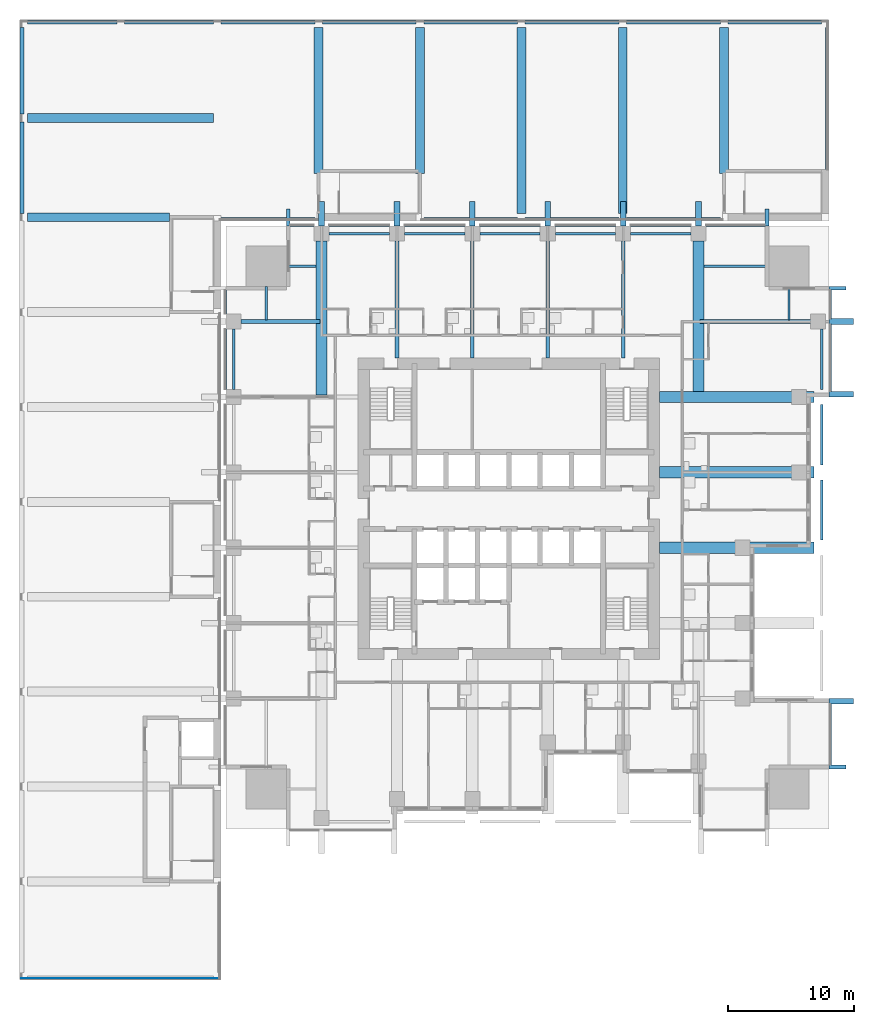
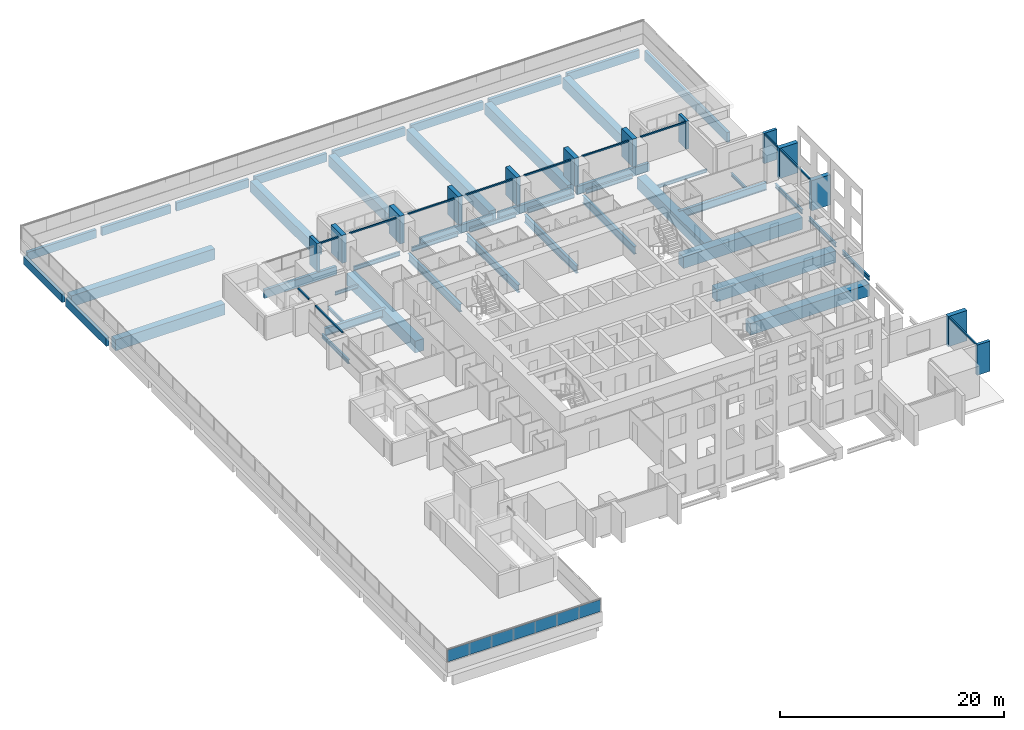
# One storey, part 2 of 15: 46 beams, 25 members, 1 plate, 4 elements without a shape of their own.
"""IFC4 building model written with IfcOpenShell, lengths in metres."""

from ifc_helpers import new_model, si_unit, direction, frame, origin, origin_2d, place, context, subcontext, project, spatial, rectangle, i_section, extrude, material, layer, layer_set, material_profile, profile_set, type_object, element, aggregate, save


model = new_model("IFC4")

# Units and contexts
model_context = context("Model", 3, precision=1e-05, world=origin(), true_north=direction((0.0, 1.0)))
body_context = subcontext(model_context, "Body", "Model", "MODEL_VIEW")
ifc_project = project(units=[si_unit("LENGTHUNIT", "METRE"), si_unit("AREAUNIT", "SQUARE_METRE"), si_unit("VOLUMEUNIT", "CUBIC_METRE"), si_unit("PLANEANGLEUNIT", "RADIAN"), si_unit("MASSUNIT", "GRAM", prefix="KILO")], contexts=[model_context])

# Site, building, storey
site_placement = place(None, origin())
site = spatial("IfcSite", under=ifc_project, at=site_placement, CompositionType="ELEMENT")
building_placement = place(site_placement, origin())
building = spatial("IfcBuilding", under=site, at=building_placement, Name="Amberfall Residences", CompositionType="ELEMENT")
storey_placement = place(building_placement, frame((0.0, 0.0, 23.5)))
storey = spatial("IfcBuildingStorey", under=building, at=storey_placement, Name="L05", CompositionType="ELEMENT", Elevation=23.5)

# Curtain wall, member
ifc_material_1 = material(Name="Bronze anodised aluminium and glass", Category="aluminium")
curtain_wall_type = type_object("IfcCurtainWallType", Name="Curtain wall CW1 tower unit", PredefinedType="USERDEFINED", material=ifc_material_1)
curtain_wall_1_placement = place(storey_placement, origin())
curtain_wall_1 = element("IfcCurtainWall", 1, at=curtain_wall_1_placement, inside=storey, type_object=curtain_wall_type, Name="Curtain wall L05 E E1", ObjectType="UNITISED CURTAIN WALL", PredefinedType="USERDEFINED")
ifc_material_2 = material(Name="Bronze anodised aluminium", Category="aluminium")
ifc_material_profile_1 = material_profile(ifc_material_2, rectangle(XDim=0.14990234375, YDim=0.14990234375, at=origin_2d()), Name="CW1 transom 150 x 150 bronze")
ifc_profile_set_1 = profile_set([ifc_material_profile_1], Name="Bronze anodised aluminium")
member_type_1 = type_object("IfcMemberType", Name="CW1 transom 150 x 150 bronze", PredefinedType="USERDEFINED", material=ifc_profile_set_1)
member_1_placement = place(storey_placement, frame((100.074951171875, 25.10009765625, 2.97509765625), z_axis=(0.0, 1.0, 0.0), x_axis=(-1.0, 0.0, 0.0)))
member_1 = element("IfcMember", 2, at=member_1_placement, type_object=member_type_1, Name="CW1 transom 1.1", ObjectType="TRANSOM", PredefinedType="USERDEFINED", context=body_context, shape_type="SweptSolid", body=[
    extrude(rectangle(XDim=0.14990234375, YDim=0.14990234375, at=origin_2d()), origin(), (0.0, 0.0, 1.0), 4.849853515625),
])

# Curtain wall, members
curtain_wall_2_placement = place(storey_placement, origin())
curtain_wall_2 = element("IfcCurtainWall", 3, at=curtain_wall_2_placement, inside=storey, type_object=curtain_wall_type, Name="Curtain wall L05 E E9", ObjectType="UNITISED CURTAIN WALL", PredefinedType="USERDEFINED")
member_2_placement = place(storey_placement, frame((100.074951171875, 54.85009765625, 2.97509765625), z_axis=(0.0, 1.0, 0.0), x_axis=(-1.0, 0.0, 0.0)))
member_2 = element("IfcMember", 4, at=member_2_placement, type_object=member_type_1, Name="CW1 transom 1.1", ObjectType="TRANSOM", PredefinedType="USERDEFINED", context=body_context, shape_type="SweptSolid", body=[
    extrude(rectangle(XDim=0.14990234375, YDim=0.14990234375, at=origin_2d()), origin(), (0.0, 0.0, 1.0), 5.324951171875),
])
member_3_placement = place(storey_placement, frame((100.074951171875, 60.625, 2.97509765625), z_axis=(0.0, 1.0, 0.0), x_axis=(-1.0, 0.0, 0.0)))
member_3 = element("IfcMember", 5, at=member_3_placement, type_object=member_type_1, Name="CW1 transom 2.1", ObjectType="TRANSOM", PredefinedType="USERDEFINED", context=body_context, shape_type="SweptSolid", body=[
    extrude(rectangle(XDim=0.14990234375, YDim=0.14990234375, at=origin_2d()), origin(), (0.0, 0.0, 1.0), 2.27490234375),
])

curtain_wall_3_placement = place(storey_placement, origin())
curtain_wall_3 = element("IfcCurtainWall", 6, at=curtain_wall_3_placement, inside=storey, type_object=curtain_wall_type, Name="Curtain wall L05 N N1", ObjectType="UNITISED CURTAIN WALL", PredefinedType="USERDEFINED")
member_4_placement = place(storey_placement, frame((94.89990234375, 68.074951171875, 2.97509765625), z_axis=(-1.0, 0.0, 0.0), x_axis=(0.0, -1.0, 0.0)))
member_4 = element("IfcMember", 7, at=member_4_placement, type_object=member_type_1, Name="CW1 transom 1.1", ObjectType="TRANSOM", PredefinedType="USERDEFINED", context=body_context, shape_type="SweptSolid", body=[
    extrude(rectangle(XDim=0.14990234375, YDim=0.14990234375, at=origin_2d()), origin(), (0.0, 0.0, 1.0), 4.69482421875),
])
member_5_placement = place(storey_placement, frame((88.9951171875, 68.074951171875, 2.97509765625), z_axis=(-1.0, 0.0, 0.0), x_axis=(0.0, -1.0, 0.0)))
member_5 = element("IfcMember", 8, at=member_5_placement, type_object=member_type_1, Name="CW1 transom 2.1", ObjectType="TRANSOM", PredefinedType="USERDEFINED", context=body_context, shape_type="SweptSolid", body=[
    extrude(rectangle(XDim=0.14990234375, YDim=0.14990234375, at=origin_2d()), origin(), (0.0, 0.0, 1.0), 4.7900390625),
])
member_6_placement = place(storey_placement, frame((82.9951171875, 68.074951171875, 2.97509765625), z_axis=(-1.0, 0.0, 0.0), x_axis=(0.0, -1.0, 0.0)))
member_6 = element("IfcMember", 9, at=member_6_placement, type_object=member_type_1, Name="CW1 transom 3.1", ObjectType="TRANSOM", PredefinedType="USERDEFINED", context=body_context, shape_type="SweptSolid", body=[
    extrude(rectangle(XDim=0.14990234375, YDim=0.14990234375, at=origin_2d()), origin(), (0.0, 0.0, 1.0), 4.7900390625),
])
member_7_placement = place(storey_placement, frame((76.9951171875, 68.074951171875, 2.97509765625), z_axis=(-1.0, 0.0, 0.0), x_axis=(0.0, -1.0, 0.0)))
member_7 = element("IfcMember", 10, at=member_7_placement, type_object=member_type_1, Name="CW1 transom 4.1", ObjectType="TRANSOM", PredefinedType="USERDEFINED", context=body_context, shape_type="SweptSolid", body=[
    extrude(rectangle(XDim=0.14990234375, YDim=0.14990234375, at=origin_2d()), origin(), (0.0, 0.0, 1.0), 4.7900390625),
])
member_8_placement = place(storey_placement, frame((70.9951171875, 68.074951171875, 2.97509765625), z_axis=(-1.0, 0.0, 0.0), x_axis=(0.0, -1.0, 0.0)))
member_8 = element("IfcMember", 11, at=member_8_placement, type_object=member_type_1, Name="CW1 transom 5.1", ObjectType="TRANSOM", PredefinedType="USERDEFINED", context=body_context, shape_type="SweptSolid", body=[
    extrude(rectangle(XDim=0.14990234375, YDim=0.14990234375, at=origin_2d()), origin(), (0.0, 0.0, 1.0), 4.7900390625),
])
member_9_placement = place(storey_placement, frame((64.9951171875, 68.074951171875, 2.97509765625), z_axis=(-1.0, 0.0, 0.0), x_axis=(0.0, -1.0, 0.0)))
member_9 = element("IfcMember", 12, at=member_9_placement, type_object=member_type_1, Name="CW1 transom 6.1", ObjectType="TRANSOM", PredefinedType="USERDEFINED", context=body_context, shape_type="SweptSolid", body=[
    extrude(rectangle(XDim=0.14990234375, YDim=0.14990234375, at=origin_2d()), origin(), (0.0, 0.0, 1.0), 4.7900390625),
])
member_10_placement = place(storey_placement, frame((58.9951171875, 68.074951171875, 2.97509765625), z_axis=(-1.0, 0.0, 0.0), x_axis=(0.0, -1.0, 0.0)))
member_10 = element("IfcMember", 13, at=member_10_placement, type_object=member_type_1, Name="CW1 transom 7.1", ObjectType="TRANSOM", PredefinedType="USERDEFINED", context=body_context, shape_type="SweptSolid", body=[
    extrude(rectangle(XDim=0.14990234375, YDim=0.14990234375, at=origin_2d()), origin(), (0.0, 0.0, 1.0), 1.89501953125),
])

curtain_wall_4_placement = place(storey_placement, origin())
curtain_wall_4 = element("IfcCurtainWall", 14, at=curtain_wall_4_placement, inside=storey, type_object=curtain_wall_type, Name="Curtain wall L05 W W1", ObjectType="UNITISED CURTAIN WALL", PredefinedType="USERDEFINED")
member_11_placement = place(storey_placement, frame((51.925048828125, 62.89990234375, 2.97509765625), z_axis=(0.0, -1.0, 0.0), x_axis=(1.0, 0.0, 0.0)))
member_11 = element("IfcMember", 15, at=member_11_placement, type_object=member_type_1, Name="CW1 transom 1.1", ObjectType="TRANSOM", PredefinedType="USERDEFINED", context=body_context, shape_type="SweptSolid", body=[
    extrude(rectangle(XDim=0.14990234375, YDim=0.14990234375, at=origin_2d()), origin(), (0.0, 0.0, 1.0), 1.89501953125),
])
member_12_placement = place(storey_placement, frame((51.925048828125, 59.794921875, 2.97509765625), z_axis=(0.0, -1.0, 0.0), x_axis=(1.0, 0.0, 0.0)))
member_12 = element("IfcMember", 16, at=member_12_placement, type_object=member_type_1, Name="CW1 transom 2.1", ObjectType="TRANSOM", PredefinedType="USERDEFINED", context=body_context, shape_type="SweptSolid", body=[
    extrude(rectangle(XDim=0.14990234375, YDim=0.14990234375, at=origin_2d()), origin(), (0.0, 0.0, 1.0), 4.7900390625),
])
aggregate(curtain_wall_4, [member_11, member_12])

# Member
ifc_material_profile_2 = material_profile(ifc_material_2, rectangle(XDim=1.35009765625, YDim=0.300048828125, at=origin_2d()), Name="Corner fin 300 x 1350 bronze")
ifc_profile_set_2 = profile_set([ifc_material_profile_2], Name="Bronze anodised aluminium")
member_type_2 = type_object("IfcMemberType", Name="Corner fin 300 x 1350 bronze", PredefinedType="MULLION", material=ifc_profile_set_2)
member_13_placement = place(storey_placement, frame((100.675048828125, 24.949951171875, -0.25), z_axis=(0.0, 0.0, 1.0), x_axis=(-1.0, 0.0, 0.0)))
member_13 = element("IfcMember", 17, at=member_13_placement, type_object=member_type_2, Name="CW FIN 1", PredefinedType="MULLION", context=body_context, shape_type="SweptSolid", body=[
    extrude(rectangle(XDim=1.35009765625, YDim=0.300048828125, at=origin_2d()), origin(), (0.0, 0.0, 1.0), 3.300048828125),
])

member_14_placement = place(storey_placement, frame((100.675048828125, 63.050048828125, -0.25), z_axis=(0.0, 0.0, 1.0), x_axis=(-1.0, 0.0, 0.0)))
member_14 = element("IfcMember", 18, at=member_14_placement, type_object=member_type_2, Name="CW FIN 3", PredefinedType="MULLION", context=body_context, shape_type="SweptSolid", body=[
    extrude(rectangle(XDim=1.35009765625, YDim=0.300048828125, at=origin_2d()), origin(), (0.0, 0.0, 1.0), 3.300048828125),
])

member_15_placement = place(storey_placement, frame((95.050048828125, 68.675048828125, 0.0), z_axis=(0.0, 0.0, 1.0), x_axis=(0.0, -1.0, 0.0)))
member_15 = element("IfcMember", 19, at=member_15_placement, type_object=member_type_2, Name="CW FIN 1", PredefinedType="MULLION", context=body_context, shape_type="SweptSolid", body=[
    extrude(rectangle(XDim=1.35009765625, YDim=0.300048828125, at=origin_2d()), origin(), (0.0, 0.0, 1.0), 3.050048828125),
])

member_16_placement = place(storey_placement, frame((56.949951171875, 68.675048828125, 0.0), z_axis=(0.0, 0.0, 1.0), x_axis=(0.0, -1.0, 0.0)))
member_16 = element("IfcMember", 20, at=member_16_placement, type_object=member_type_2, Name="CW FIN 8", PredefinedType="MULLION", context=body_context, shape_type="SweptSolid", body=[
    extrude(rectangle(XDim=1.35009765625, YDim=0.300048828125, at=origin_2d()), origin(), (0.0, 0.0, 1.0), 3.050048828125),
])

# Beams
ifc_material_3 = material(Name="Steel S355", Category="steel")
ifc_material_profile_3 = material_profile(ifc_material_3, i_section(OverallWidth=0.18994140625, OverallDepth=0.453369140625, WebThickness=0.008544921875, FlangeThickness=0.0126953125, FilletRadius=0.01025390625, at=origin_2d()), Name="UB 457x191x67")
ifc_profile_set_3 = profile_set([ifc_material_profile_3], Name="Steel S355")
beam_type_1 = type_object("IfcBeamType", Name="Edge beam UB 457x191x67", PredefinedType="SPANDREL", material=ifc_profile_set_3)
for number, where, z_axis, x_axis, name in (
    (21, (99.39990234375, 43.0, -0.476806640625), (0.0, 1.0, 0.0), (-1.0, 0.0, 0.0), "Edge beam B1 L05 14"),
    (22, (99.39990234375, 49.0, -0.476806640625), (0.0, 1.0, 0.0), (-1.0, 0.0, 0.0), "Edge beam B1 L05 15"),
    (23, (99.39990234375, 55.0, -0.476806640625), (0.0, 1.0, 0.0), (-1.0, 0.0, 0.0), "Edge beam B1 L05 16"),
    (24, (60.199951171875, 67.39990234375, -0.476806640625), (1.0, 0.0, 0.0), (0.0, 1.0, 0.0), "Edge beam B1 L05 23"),
    (25, (66.199951171875, 67.39990234375, -0.476806640625), (1.0, 0.0, 0.0), (0.0, 1.0, 0.0), "Edge beam B1 L05 24"),
    (26, (72.199951171875, 67.39990234375, -0.476806640625), (1.0, 0.0, 0.0), (0.0, 1.0, 0.0), "Edge beam B1 L05 25"),
    (27, (78.199951171875, 67.39990234375, -0.476806640625), (1.0, 0.0, 0.0), (0.0, 1.0, 0.0), "Edge beam B1 L05 26"),
    (28, (84.199951171875, 67.39990234375, -0.476806640625), (1.0, 0.0, 0.0), (0.0, 1.0, 0.0), "Edge beam B1 L05 27"),
    (29, (52.60009765625, 55.0, -0.476806640625), (0.0, 1.0, 0.0), (-1.0, 0.0, 0.0), "Edge beam B1 L05 38"),
):
    element("IfcBeam", number, at=place(storey_placement, frame(where, z_axis=z_axis, x_axis=x_axis)), inside=storey, type_object=beam_type_1, Name=name, PredefinedType="SPANDREL", context=body_context, shape_type="SweptSolid", body=[
        extrude(i_section(OverallWidth=0.18994140625, OverallDepth=0.453369140625, WebThickness=0.008544921875, FlangeThickness=0.0126953125, FilletRadius=0.01025390625, at=origin_2d()), origin(), (0.0, 0.0, 1.0), 4.800048828125),
    ])

# Member
ifc_material_profile_4 = material_profile(ifc_material_2, rectangle(XDim=1.949951171875, YDim=0.449951171875, at=origin_2d()), Name="Fin 450 x 1950 bronze")
ifc_profile_set_4 = profile_set([ifc_material_profile_4], Name="Bronze anodised aluminium")
member_type_3 = type_object("IfcMemberType", Name="Fin 450 x 1950 bronze", PredefinedType="MULLION", material=ifc_profile_set_4)
member_17_placement = place(storey_placement, frame((100.97509765625, 30.175048828125, -0.25), z_axis=(0.0, 0.0, 1.0), x_axis=(-1.0, 0.0, 0.0)))
member_17 = element("IfcMember", 30, at=member_17_placement, type_object=member_type_3, Name="CW FIN 2", PredefinedType="MULLION", context=body_context, shape_type="SweptSolid", body=[
    extrude(rectangle(XDim=1.949951171875, YDim=0.449951171875, at=origin_2d()), origin(), (0.0, 0.0, 1.0), 3.300048828125),
])

aggregate(curtain_wall_1, [member_13, member_17, member_1])

member_18_placement = place(storey_placement, frame((100.97509765625, 54.625, -0.25), z_axis=(0.0, 0.0, 1.0), x_axis=(-1.0, 0.0, 0.0)))
member_18 = element("IfcMember", 31, at=member_18_placement, type_object=member_type_3, Name="CW FIN 1", PredefinedType="MULLION", context=body_context, shape_type="SweptSolid", body=[
    extrude(rectangle(XDim=1.949951171875, YDim=0.449951171875, at=origin_2d()), origin(), (0.0, 0.0, 1.0), 3.300048828125),
])

member_19_placement = place(storey_placement, frame((100.97509765625, 60.39990234375, -0.25), z_axis=(0.0, 0.0, 1.0), x_axis=(-1.0, 0.0, 0.0)))
member_19 = element("IfcMember", 32, at=member_19_placement, type_object=member_type_3, Name="CW FIN 2", PredefinedType="MULLION", context=body_context, shape_type="SweptSolid", body=[
    extrude(rectangle(XDim=1.949951171875, YDim=0.449951171875, at=origin_2d()), origin(), (0.0, 0.0, 1.0), 3.300048828125),
])

aggregate(curtain_wall_2, [member_18, member_19, member_14, member_2, member_3])

member_20_placement = place(storey_placement, frame((89.60009765625, 68.97509765625, 0.0), z_axis=(0.0, 0.0, 1.0), x_axis=(0.0, -1.0, 0.0)))
member_20 = element("IfcMember", 33, at=member_20_placement, type_object=member_type_3, Name="CW FIN 2", PredefinedType="MULLION", context=body_context, shape_type="SweptSolid", body=[
    extrude(rectangle(XDim=1.949951171875, YDim=0.449951171875, at=origin_2d()), origin(), (0.0, 0.0, 1.0), 3.050048828125),
])

member_21_placement = place(storey_placement, frame((83.60009765625, 68.97509765625, 0.0), z_axis=(0.0, 0.0, 1.0), x_axis=(0.0, -1.0, 0.0)))
member_21 = element("IfcMember", 34, at=member_21_placement, type_object=member_type_3, Name="CW FIN 3", PredefinedType="MULLION", context=body_context, shape_type="SweptSolid", body=[
    extrude(rectangle(XDim=1.949951171875, YDim=0.449951171875, at=origin_2d()), origin(), (0.0, 0.0, 1.0), 3.050048828125),
])

member_22_placement = place(storey_placement, frame((77.60009765625, 68.97509765625, 0.0), z_axis=(0.0, 0.0, 1.0), x_axis=(0.0, -1.0, 0.0)))
member_22 = element("IfcMember", 35, at=member_22_placement, type_object=member_type_3, Name="CW FIN 4", PredefinedType="MULLION", context=body_context, shape_type="SweptSolid", body=[
    extrude(rectangle(XDim=1.949951171875, YDim=0.449951171875, at=origin_2d()), origin(), (0.0, 0.0, 1.0), 3.050048828125),
])

member_23_placement = place(storey_placement, frame((71.60009765625, 68.97509765625, 0.0), z_axis=(0.0, 0.0, 1.0), x_axis=(0.0, -1.0, 0.0)))
member_23 = element("IfcMember", 36, at=member_23_placement, type_object=member_type_3, Name="CW FIN 5", PredefinedType="MULLION", context=body_context, shape_type="SweptSolid", body=[
    extrude(rectangle(XDim=1.949951171875, YDim=0.449951171875, at=origin_2d()), origin(), (0.0, 0.0, 1.0), 3.050048828125),
])

member_24_placement = place(storey_placement, frame((65.60009765625, 68.97509765625, 0.0), z_axis=(0.0, 0.0, 1.0), x_axis=(0.0, -1.0, 0.0)))
member_24 = element("IfcMember", 37, at=member_24_placement, type_object=member_type_3, Name="CW FIN 6", PredefinedType="MULLION", context=body_context, shape_type="SweptSolid", body=[
    extrude(rectangle(XDim=1.949951171875, YDim=0.449951171875, at=origin_2d()), origin(), (0.0, 0.0, 1.0), 3.050048828125),
])

member_25_placement = place(storey_placement, frame((59.60009765625, 68.97509765625, 0.0), z_axis=(0.0, 0.0, 1.0), x_axis=(0.0, -1.0, 0.0)))
member_25 = element("IfcMember", 38, at=member_25_placement, type_object=member_type_3, Name="CW FIN 7", PredefinedType="MULLION", context=body_context, shape_type="SweptSolid", body=[
    extrude(rectangle(XDim=1.949951171875, YDim=0.449951171875, at=origin_2d()), origin(), (0.0, 0.0, 1.0), 3.050048828125),
])

aggregate(curtain_wall_3, [member_15, member_20, member_21, member_22, member_23, member_24, member_25, member_16, member_4, member_5, member_6, member_7, member_8, member_9, member_10])

# Beams
ifc_material_profile_5 = material_profile(ifc_material_3, i_section(OverallWidth=0.171142578125, OverallDepth=0.351318359375, WebThickness=0.007080078125, FlangeThickness=0.009765625, FilletRadius=0.01025390625, at=origin_2d()), Name="UB 356x171x45")
ifc_profile_set_5 = profile_set([ifc_material_profile_5], Name="Steel S355")
beam_type_2 = type_object("IfcBeamType", Name="Link beam UB 356x171x45", PredefinedType="BEAM", material=ifc_profile_set_5)
beam_1_placement = place(storey_placement, frame((95.199951171875, 64.800048828125, -0.42578125), z_axis=(-1.0, 0.0, 0.0), x_axis=(0.0, -1.0, 0.0)))
element("IfcBeam", 39, at=beam_1_placement, inside=storey, type_object=beam_type_2, Name="Link beam B7 L05 49", PredefinedType="BEAM", context=body_context, shape_type="SweptSolid", body=[
    extrude(i_section(OverallWidth=0.171142578125, OverallDepth=0.351318359375, WebThickness=0.007080078125, FlangeThickness=0.009765625, FilletRadius=0.01025390625, at=origin_2d()), origin(), (0.0, 0.0, 1.0), 5.159912109375),
])
beam_2_placement = place(storey_placement, frame((96.800048828125, 63.199951171875, -0.42578125), z_axis=(0.0, -1.0, 0.0), x_axis=(1.0, 0.0, 0.0)))
element("IfcBeam", 40, at=beam_2_placement, inside=storey, type_object=beam_type_2, Name="Link beam B7 L05 50", PredefinedType="BEAM", context=body_context, shape_type="SweptSolid", body=[
    extrude(i_section(OverallWidth=0.171142578125, OverallDepth=0.351318359375, WebThickness=0.007080078125, FlangeThickness=0.009765625, FilletRadius=0.01025390625, at=origin_2d()), origin(), (0.0, 0.0, 1.0), 2.6640625),
])
beam_3_placement = place(storey_placement, frame((56.800048828125, 64.800048828125, -0.42578125), z_axis=(1.0, 0.0, 0.0), x_axis=(0.0, 1.0, 0.0)))
element("IfcBeam", 41, at=beam_3_placement, inside=storey, type_object=beam_type_2, Name="Link beam B7 L05 51", PredefinedType="BEAM", context=body_context, shape_type="SweptSolid", body=[
    extrude(i_section(OverallWidth=0.171142578125, OverallDepth=0.351318359375, WebThickness=0.007080078125, FlangeThickness=0.009765625, FilletRadius=0.01025390625, at=origin_2d()), origin(), (0.0, 0.0, 1.0), 2.35986328125),
])
beam_4_placement = place(storey_placement, frame((55.199951171875, 63.199951171875, -0.42578125), z_axis=(0.0, -1.0, 0.0), x_axis=(1.0, 0.0, 0.0)))
element("IfcBeam", 42, at=beam_4_placement, inside=storey, type_object=beam_type_2, Name="Link beam B7 L05 52", PredefinedType="BEAM", context=body_context, shape_type="SweptSolid", body=[
    extrude(i_section(OverallWidth=0.171142578125, OverallDepth=0.351318359375, WebThickness=0.007080078125, FlangeThickness=0.009765625, FilletRadius=0.01025390625, at=origin_2d()), origin(), (0.0, 0.0, 1.0), 2.6640625),
])
ifc_material_4 = material(Name="Concrete C40", Category="concrete")
ifc_material_profile_6 = material_profile(ifc_material_4, rectangle(XDim=0.699951171875, YDim=1.199951171875, at=origin_2d()), Name="School beam 700 x 1200 C40")
ifc_profile_set_6 = profile_set([ifc_material_profile_6], Name="Concrete C40")
beam_type_3 = type_object("IfcBeamType", Name="School beam 700 x 1200 C40", PredefinedType="BEAM", material=ifc_profile_set_6)
beam_5_placement = place(storey_placement, frame((36.199951171875, 68.699951171875, -1.050048828125), z_axis=(1.0, 0.0, 0.0), x_axis=(0.0, 1.0, 0.0)))
element("IfcBeam", 43, at=beam_5_placement, inside=storey, type_object=beam_type_3, Name="TW8", PredefinedType="BEAM", context=body_context, shape_type="SweptSolid", body=[
    extrude(rectangle(XDim=0.699951171875, YDim=1.199951171875, at=origin_2d()), origin(), (0.0, 0.0, 1.0), 11.300048828125),
])
beam_6_placement = place(storey_placement, frame((36.199951171875, 76.60009765625, -1.050048828125), z_axis=(1.0, 0.0, 0.0), x_axis=(0.0, 1.0, 0.0)))
element("IfcBeam", 44, at=beam_6_placement, inside=storey, type_object=beam_type_3, Name="TW9", PredefinedType="BEAM", context=body_context, shape_type="SweptSolid", body=[
    extrude(rectangle(XDim=0.699951171875, YDim=1.199951171875, at=origin_2d()), origin(), (0.0, 0.0, 1.0), 14.800048828125),
])
for number, where, z_axis, x_axis, name in (
    (45, (59.366943359375, 72.199951171875, -1.050048828125), (0.0, 1.0, 0.0), (-1.0, 0.0, 0.0), "TN1"),
    (46, (67.43310546875, 72.199951171875, -1.050048828125), (0.0, 1.0, 0.0), (-1.0, 0.0, 0.0), "TN2"),
):
    element("IfcBeam", number, at=place(storey_placement, frame(where, z_axis=z_axis, x_axis=x_axis)), inside=storey, type_object=beam_type_3, Name=name, PredefinedType="BEAM", context=body_context, shape_type="SweptSolid", body=[
        extrude(rectangle(XDim=0.699951171875, YDim=1.199951171875, at=origin_2d()), origin(), (0.0, 0.0, 1.0), 11.60009765625),
    ])
for number, where, z_axis, x_axis, name in (
    (47, (75.5, 69.0, -1.050048828125), (0.0, 1.0, 0.0), (-1.0, 0.0, 0.0), "TN3"),
    (48, (83.56689453125, 69.0, -1.050048828125), (0.0, 1.0, 0.0), (-1.0, 0.0, 0.0), "TN4"),
):
    element("IfcBeam", number, at=place(storey_placement, frame(where, z_axis=z_axis, x_axis=x_axis)), inside=storey, type_object=beam_type_3, Name=name, PredefinedType="BEAM", context=body_context, shape_type="SweptSolid", body=[
        extrude(rectangle(XDim=0.699951171875, YDim=1.199951171875, at=origin_2d()), origin(), (0.0, 0.0, 1.0), 14.800048828125),
    ])
beam_7_placement = place(storey_placement, frame((91.633056640625, 72.199951171875, -1.050048828125), z_axis=(0.0, 1.0, 0.0), x_axis=(-1.0, 0.0, 0.0)))
element("IfcBeam", 49, at=beam_7_placement, inside=storey, type_object=beam_type_3, Name="TN5", PredefinedType="BEAM", context=body_context, shape_type="SweptSolid", body=[
    extrude(rectangle(XDim=0.699951171875, YDim=1.199951171875, at=origin_2d()), origin(), (0.0, 0.0, 1.0), 11.60009765625),
])
ifc_material_profile_7 = material_profile(ifc_material_4, rectangle(XDim=0.300048828125, YDim=0.89990234375, at=origin_2d()), Name="School edge beam 300 x 900 C40")
ifc_profile_set_7 = profile_set([ifc_material_profile_7], Name="Concrete C40")
beam_type_4 = type_object("IfcBeamType", Name="School edge beam 300 x 900 C40", PredefinedType="BEAM", material=ifc_profile_set_7)
beam_8_placement = place(storey_placement, frame((35.75, 69.0, -0.89990234375), z_axis=(0.0, 1.0, 0.0), x_axis=(-1.0, 0.0, 0.0)))
element("IfcBeam", 50, at=beam_8_placement, inside=storey, type_object=beam_type_4, Name="GW8", PredefinedType="BEAM", context=body_context, shape_type="SweptSolid", body=[
    extrude(rectangle(XDim=0.300048828125, YDim=0.89990234375, at=origin_2d()), origin(), (0.0, 0.0, 1.0), 7.300048828125),
])
beam_9_placement = place(storey_placement, frame((35.75, 76.89990234375, -0.89990234375), z_axis=(0.0, 1.0, 0.0), x_axis=(-1.0, 0.0, 0.0)))
element("IfcBeam", 51, at=beam_9_placement, inside=storey, type_object=beam_type_4, Name="GW9", PredefinedType="BEAM", context=body_context, shape_type="SweptSolid", body=[
    extrude(rectangle(XDim=0.300048828125, YDim=0.89990234375, at=origin_2d()), origin(), (0.0, 0.0, 1.0), 6.900146484375),
])
for number, where, z_axis, x_axis, name in (
    (52, (36.199951171875, 84.25, -0.89990234375), (1.0, 0.0, 0.0), (0.0, 1.0, 0.0), "GN0"),
    (53, (43.89990234375, 84.25, -0.89990234375), (1.0, 0.0, 0.0), (0.0, 1.0, 0.0), "GN1"),
):
    element("IfcBeam", number, at=place(storey_placement, frame(where, z_axis=z_axis, x_axis=x_axis)), inside=storey, type_object=beam_type_4, Name=name, PredefinedType="BEAM", context=body_context, shape_type="SweptSolid", body=[
        extrude(rectangle(XDim=0.300048828125, YDim=0.89990234375, at=origin_2d()), origin(), (0.0, 0.0, 1.0), 7.10009765625),
    ])
beam_10_placement = place(storey_placement, frame((51.60009765625, 84.25, -0.89990234375), z_axis=(1.0, 0.0, 0.0), x_axis=(0.0, 1.0, 0.0)))
element("IfcBeam", 54, at=beam_10_placement, inside=storey, type_object=beam_type_4, Name="GN2", PredefinedType="BEAM", context=body_context, shape_type="SweptSolid", body=[
    extrude(rectangle(XDim=0.300048828125, YDim=0.89990234375, at=origin_2d()), origin(), (0.0, 0.0, 1.0), 7.466796875),
])
beam_11_placement = place(storey_placement, frame((59.6669921875, 84.25, -0.89990234375), z_axis=(1.0, 0.0, 0.0), x_axis=(0.0, 1.0, 0.0)))
element("IfcBeam", 55, at=beam_11_placement, inside=storey, type_object=beam_type_4, Name="GN3", PredefinedType="BEAM", context=body_context, shape_type="SweptSolid", body=[
    extrude(rectangle(XDim=0.300048828125, YDim=0.89990234375, at=origin_2d()), origin(), (0.0, 0.0, 1.0), 7.466064453125),
])
for number, where, z_axis, x_axis, name in (
    (56, (67.73291015625, 84.25, -0.89990234375), (1.0, 0.0, 0.0), (0.0, 1.0, 0.0), "GN4"),
    (57, (75.800048828125, 84.25, -0.89990234375), (1.0, 0.0, 0.0), (0.0, 1.0, 0.0), "GN5"),
):
    element("IfcBeam", number, at=place(storey_placement, frame(where, z_axis=z_axis, x_axis=x_axis)), inside=storey, type_object=beam_type_4, Name=name, PredefinedType="BEAM", context=body_context, shape_type="SweptSolid", body=[
        extrude(rectangle(XDim=0.300048828125, YDim=0.89990234375, at=origin_2d()), origin(), (0.0, 0.0, 1.0), 7.467041015625),
    ])
beam_12_placement = place(storey_placement, frame((83.866943359375, 84.25, -0.89990234375), z_axis=(1.0, 0.0, 0.0), x_axis=(0.0, 1.0, 0.0)))
element("IfcBeam", 58, at=beam_12_placement, inside=storey, type_object=beam_type_4, Name="GN6", PredefinedType="BEAM", context=body_context, shape_type="SweptSolid", body=[
    extrude(rectangle(XDim=0.300048828125, YDim=0.89990234375, at=origin_2d()), origin(), (0.0, 0.0, 1.0), 7.466064453125),
])
for number, where, z_axis, x_axis, name in (
    (59, (91.93310546875, 84.25, -0.89990234375), (1.0, 0.0, 0.0), (0.0, 1.0, 0.0), "GN7"),
    (60, (51.60009765625, 68.550048828125, -0.89990234375), (1.0, 0.0, 0.0), (0.0, 1.0, 0.0), "GS0"),
):
    element("IfcBeam", number, at=place(storey_placement, frame(where, z_axis=z_axis, x_axis=x_axis)), inside=storey, type_object=beam_type_4, Name=name, PredefinedType="BEAM", context=body_context, shape_type="SweptSolid", body=[
        extrude(rectangle(XDim=0.300048828125, YDim=0.89990234375, at=origin_2d()), origin(), (0.0, 0.0, 1.0), 7.466796875),
    ])
for number, where, z_axis, x_axis, name in (
    (61, (67.73291015625, 68.550048828125, -0.89990234375), (1.0, 0.0, 0.0), (0.0, 1.0, 0.0), "GS2"),
    (62, (75.800048828125, 68.550048828125, -0.89990234375), (1.0, 0.0, 0.0), (0.0, 1.0, 0.0), "GS3"),
):
    element("IfcBeam", number, at=place(storey_placement, frame(where, z_axis=z_axis, x_axis=x_axis)), inside=storey, type_object=beam_type_4, Name=name, PredefinedType="BEAM", context=body_context, shape_type="SweptSolid", body=[
        extrude(rectangle(XDim=0.300048828125, YDim=0.89990234375, at=origin_2d()), origin(), (0.0, 0.0, 1.0), 7.467041015625),
    ])
beam_13_placement = place(storey_placement, frame((83.866943359375, 68.550048828125, -0.89990234375), z_axis=(1.0, 0.0, 0.0), x_axis=(0.0, 1.0, 0.0)))
element("IfcBeam", 63, at=beam_13_placement, inside=storey, type_object=beam_type_4, Name="GS4", PredefinedType="BEAM", context=body_context, shape_type="SweptSolid", body=[
    extrude(rectangle(XDim=0.300048828125, YDim=0.89990234375, at=origin_2d()), origin(), (0.0, 0.0, 1.0), 7.466064453125),
])
ifc_material_profile_8 = material_profile(ifc_material_4, rectangle(XDim=0.300048828125, YDim=1.10009765625, at=origin_2d()), Name="School end beam 300 x 1100 C40")
ifc_profile_set_8 = profile_set([ifc_material_profile_8], Name="Concrete C40")
beam_type_5 = type_object("IfcBeamType", Name="School end beam 300 x 1100 C40", PredefinedType="BEAM", material=ifc_profile_set_8)
beam_14_placement = place(storey_placement, frame((99.85009765625, 69.0, -1.0), z_axis=(0.0, 1.0, 0.0), x_axis=(-1.0, 0.0, 0.0)))
element("IfcBeam", 64, at=beam_14_placement, inside=storey, type_object=beam_type_5, Name="EE", PredefinedType="BEAM", context=body_context, shape_type="SweptSolid", body=[
    extrude(rectangle(XDim=0.300048828125, YDim=1.10009765625, at=origin_2d()), origin(), (0.0, 0.0, 1.0), 14.800048828125),
])
ifc_material_5 = material(Name="Concrete C60", Category="concrete")
ifc_material_profile_9 = material_profile(ifc_material_5, rectangle(XDim=0.89990234375, YDim=1.300048828125, at=origin_2d()), Name="Transfer girder 900 x 1300 C60")
ifc_profile_set_9 = profile_set([ifc_material_profile_9], Name="Concrete C60")
beam_type_6 = type_object("IfcBeamType", Name="Transfer girder 900 x 1300 C60", PredefinedType="BEAM", material=ifc_profile_set_9)
for number, where, z_axis, x_axis, name in (
    (65, (98.800048828125, 42.39990234375, -0.89990234375), (-1.0, 0.0, 0.0), (0.0, -1.0, 0.0), "Transfer girder B5 L05 19"),
    (66, (98.800048828125, 48.39990234375, -0.89990234375), (-1.0, 0.0, 0.0), (0.0, -1.0, 0.0), "Transfer girder B5 L05 20"),
    (67, (98.800048828125, 54.39990234375, -0.906005859375), (-1.0, 0.0, 0.0), (0.0, -1.0, 0.0), "Transfer girder B5 L05 21"),
):
    element("IfcBeam", number, at=place(storey_placement, frame(where, z_axis=z_axis, x_axis=x_axis)), inside=storey, type_object=beam_type_6, Name=name, PredefinedType="BEAM", context=body_context, shape_type="SweptSolid", body=[
        extrude(rectangle(XDim=0.89990234375, YDim=1.300048828125, at=origin_2d()), origin(), (0.0, 0.0, 1.0), 12.300048828125),
    ])
beam_15_placement = place(storey_placement, frame((59.60009765625, 66.800048828125, -0.903076171875), z_axis=(0.0, -1.0, 0.0), x_axis=(1.0, 0.0, 0.0)))
element("IfcBeam", 68, at=beam_15_placement, inside=storey, type_object=beam_type_6, Name="Transfer girder B5 L05 28", PredefinedType="BEAM", context=body_context, shape_type="SweptSolid", body=[
    extrude(rectangle(XDim=0.89990234375, YDim=1.300048828125, at=origin_2d()), origin(), (0.0, 0.0, 1.0), 12.25927734375),
])
beam_16_placement = place(storey_placement, frame((89.60009765625, 66.800048828125, -0.903076171875), z_axis=(0.0, -1.0, 0.0), x_axis=(1.0, 0.0, 0.0)))
element("IfcBeam", 69, at=beam_16_placement, inside=storey, type_object=beam_type_6, Name="Transfer girder B5 L05 33", PredefinedType="BEAM", context=body_context, shape_type="SweptSolid", body=[
    extrude(rectangle(XDim=0.89990234375, YDim=1.300048828125, at=origin_2d()), origin(), (0.0, 0.0, 1.0), 11.955078125),
])
ifc_material_profile_10 = material_profile(ifc_material_3, i_section(OverallWidth=0.29150390625, OverallDepth=0.8349609375, WebThickness=0.013916015625, FlangeThickness=0.018798828125, FilletRadius=0.017822265625, at=origin_2d()), Name="UB 838x292x176")
ifc_profile_set_10 = profile_set([ifc_material_profile_10], Name="Steel S355")
beam_type_7 = type_object("IfcBeamType", Name="Transfer girder UB 838x292x176", PredefinedType="BEAM", material=ifc_profile_set_10)
beam_17_placement = place(storey_placement, frame((98.800048828125, 60.39990234375, -0.66748046875), z_axis=(-1.0, 0.0, 0.0), x_axis=(0.0, -1.0, 0.0)))
element("IfcBeam", 70, at=beam_17_placement, inside=storey, type_object=beam_type_7, Name="Transfer girder B6 L05 22", PredefinedType="BEAM", context=body_context, shape_type="SweptSolid", body=[
    extrude(i_section(OverallWidth=0.29150390625, OverallDepth=0.8349609375, WebThickness=0.013916015625, FlangeThickness=0.018798828125, FilletRadius=0.017822265625, at=origin_2d()), origin(), (0.0, 0.0, 1.0), 9.080078125),
])
for number, where, z_axis, x_axis, name in (
    (71, (65.60009765625, 66.800048828125, -0.66748046875), (0.0, -1.0, 0.0), (1.0, 0.0, 0.0), "Transfer girder B6 L05 29"),
    (72, (71.60009765625, 66.800048828125, -0.66748046875), (0.0, -1.0, 0.0), (1.0, 0.0, 0.0), "Transfer girder B6 L05 30"),
    (73, (77.60009765625, 66.800048828125, -0.66748046875), (0.0, -1.0, 0.0), (1.0, 0.0, 0.0), "Transfer girder B6 L05 31"),
    (74, (83.60009765625, 66.800048828125, -0.66748046875), (0.0, -1.0, 0.0), (1.0, 0.0, 0.0), "Transfer girder B6 L05 32"),
):
    element("IfcBeam", number, at=place(storey_placement, frame(where, z_axis=z_axis, x_axis=x_axis)), inside=storey, type_object=beam_type_7, Name=name, PredefinedType="BEAM", context=body_context, shape_type="SweptSolid", body=[
        extrude(i_section(OverallWidth=0.29150390625, OverallDepth=0.8349609375, WebThickness=0.013916015625, FlangeThickness=0.018798828125, FilletRadius=0.017822265625, at=origin_2d()), origin(), (0.0, 0.0, 1.0), 9.300048828125),
    ])
beam_18_placement = place(storey_placement, frame((53.199951171875, 60.39990234375, -0.66748046875), z_axis=(1.0, 0.0, 0.0), x_axis=(0.0, 1.0, 0.0)))
element("IfcBeam", 75, at=beam_18_placement, inside=storey, type_object=beam_type_7, Name="Transfer girder B6 L05 44", PredefinedType="BEAM", context=body_context, shape_type="SweptSolid", body=[
    extrude(i_section(OverallWidth=0.29150390625, OverallDepth=0.8349609375, WebThickness=0.013916015625, FlangeThickness=0.018798828125, FilletRadius=0.017822265625, at=origin_2d()), origin(), (0.0, 0.0, 1.0), 6.280029296875),
])

# Plate
ifc_material_6 = material(Name="Galvanised steel mesh", Category="steel")
ifc_layer = layer(ifc_material_6, 0.030029296875)
ifc_layer_set = layer_set([ifc_layer], Name="School fence mesh panel 30")
plate_type = type_object("IfcPlateType", Name="School fence mesh panel 30", PredefinedType="SHEET", material=ifc_layer_set)
plate_placement = place(storey_placement, frame((43.60009765625, 8.135009765625, 1.10009765625), z_axis=(0.0, 0.0, 1.0), x_axis=(1.0, 0.0, 0.0)))
element("IfcPlate", 76, at=plate_placement, inside=storey, type_object=plate_type, Name="School fence mesh panel", PredefinedType="SHEET", context=body_context, shape_type="SweptSolid", body=[
    extrude(rectangle(XDim=15.800048828125, YDim=0.030029296875, at=origin_2d()), origin(), (0.0, 0.0, 1.0), 1.300048828125),
])

save(model, "model.ifc")
